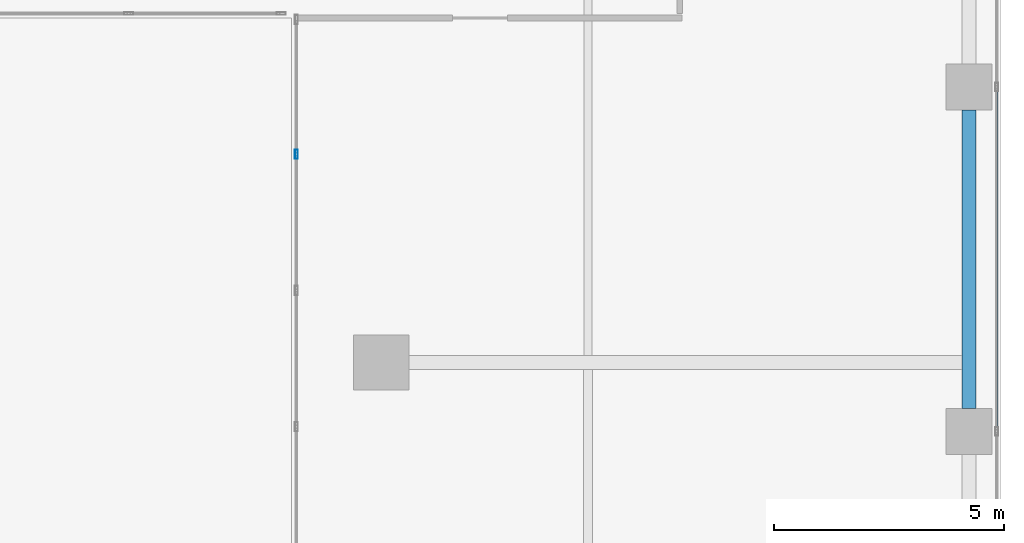
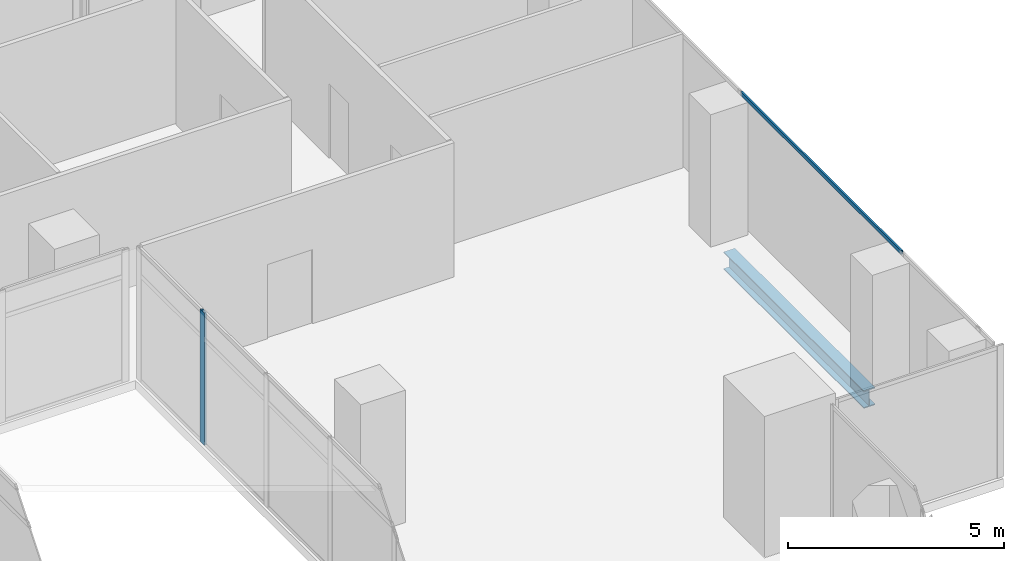
# One storey, part 13 of 40: 2 members, 1 beam, 2 elements without a shape of their own.
"""IFC4 building model written with IfcOpenShell, lengths in metres."""

from ifc_helpers import new_model, si_unit, direction, frame, origin, origin_2d, place, context, subcontext, project, spatial, hollow_rectangle, i_section, extrude, source, transform, mapped, material, material_profile, profile_set, type_object, element, aggregate, save


model = new_model("IFC4")

# Units and contexts
model_context = context("Model", 3, precision=1e-05, world=origin(), true_north=direction((0.0, 1.0)))
body_context = subcontext(model_context, "Body", "Model", "MODEL_VIEW")
ifc_project = project(units=[si_unit("LENGTHUNIT", "METRE"), si_unit("AREAUNIT", "SQUARE_METRE"), si_unit("VOLUMEUNIT", "CUBIC_METRE"), si_unit("PLANEANGLEUNIT", "RADIAN"), si_unit("MASSUNIT", "GRAM", prefix="KILO")], contexts=[model_context])

# Site, building, storey
site_placement = place(None, origin())
site = spatial("IfcSite", under=ifc_project, at=site_placement, CompositionType="ELEMENT")
building_placement = place(site_placement, origin())
building = spatial("IfcBuilding", under=site, at=building_placement, Name="Khomas Fold Tower", CompositionType="ELEMENT")
storey_placement = place(building_placement, frame((0.0, 0.0, 184.699951171875)))
storey = spatial("IfcBuildingStorey", under=building, at=storey_placement, Name="L40", CompositionType="ELEMENT", Elevation=184.699951171875)

# Beam
ifc_material_1 = material(Name="Steel S355", Category="steel")
ifc_material_profile_1 = material_profile(ifc_material_1, i_section(OverallWidth=0.300048828125, OverallDepth=0.5, WebThickness=0.014404296875, FlangeThickness=0.028076171875, at=origin_2d()), Name="HE 500 B")
ifc_profile_set_1 = profile_set([ifc_material_profile_1], Name="Steel S355")
beam_type = type_object("IfcBeamType", Name="HE 500 B spandrel SB3", PredefinedType="SPANDREL", material=ifc_profile_set_1)
shared_shape_1 = source(origin(), body_context, "Body", "SweptSolid", [
    extrude(i_section(OverallWidth=0.300048828125, OverallDepth=0.5, WebThickness=0.014404296875, FlangeThickness=0.028076171875, at=origin_2d()), origin(), (0.0, 0.0, 1.0), 6.5),
])
beam_placement = place(storey_placement, frame((50.300048828125, 12.5, -0.5), z_axis=(0.0, 1.0, 0.0), x_axis=(-1.0, 0.0, 0.0)))
element("IfcBeam", 1, at=beam_placement, inside=storey, type_object=beam_type, Name="SB3", PredefinedType="SPANDREL", context=body_context, shape_type="MappedRepresentation", body=[
    mapped(shared_shape_1, transform((0.0, 0.0, 0.0))),
])

# Curtain wall, member
ifc_material_2 = material(Name="Aluminium framed double glazing", Category="aluminium")
curtain_wall_type_1 = type_object("IfcCurtainWallType", Name="SK-Unitised clear-glass wall, office floors CW2", PredefinedType="NOTDEFINED", material=ifc_material_2)
curtain_wall_1_placement = place(storey_placement, origin())
curtain_wall_1 = element("IfcCurtainWall", 2, at=curtain_wall_1_placement, inside=storey, type_object=curtain_wall_type_1, Name="CW2 run L40 08-0", PredefinedType="NOTDEFINED")
ifc_material_3 = material(Name="Aluminium", Category="aluminium")
ifc_material_profile_2 = material_profile(ifc_material_3, hollow_rectangle(XDim=0.050048828125, YDim=0.110107421875, WallThickness=0.00390625, at=origin_2d()), Name="SK-Unitised clear-glass wall, office floors transom CW2-T")
ifc_profile_set_2 = profile_set([ifc_material_profile_2], Name="Aluminium")
member_type_1 = type_object("IfcMemberType", Name="SK-Unitised clear-glass wall, office floors transom CW2-T", PredefinedType="USERDEFINED", material=ifc_profile_set_2)
shared_shape_2 = source(origin(), body_context, "Body", "SweptSolid", [
    extrude(hollow_rectangle(XDim=0.050048828125, YDim=0.110107421875, WallThickness=0.00390625, at=origin_2d()), origin(), (0.0, 0.0, 1.0), 7.43994140625),
])
member_1_placement = place(storey_placement, frame((50.89990234375, 12.030029296875, 3.695068359375), z_axis=(0.0, 1.0, 0.0), x_axis=(-1.0, 0.0, 0.0)))
member_1 = element("IfcMember", 3, at=member_1_placement, type_object=member_type_1, Name="CW2 transom 3", ObjectType="TRANSOM", PredefinedType="USERDEFINED", context=body_context, shape_type="MappedRepresentation", body=[
    mapped(shared_shape_2, transform((0.0, 0.0, 0.0))),
])
aggregate(curtain_wall_1, [member_1])

ifc_material_4 = material(Name="Aluminium framed double glazing", Category="aluminium")
curtain_wall_type_2 = type_object("IfcCurtainWallType", Name="Notch glazing GN-CW", PredefinedType="NOTDEFINED", material=ifc_material_4)
curtain_wall_2_placement = place(storey_placement, origin())
curtain_wall_2 = element("IfcCurtainWall", 4, at=curtain_wall_2_placement, inside=storey, type_object=curtain_wall_type_2, Name="Notch glazing run", PredefinedType="NOTDEFINED")
ifc_material_5 = material(Name="Aluminium", Category="aluminium")
ifc_material_profile_3 = material_profile(ifc_material_5, hollow_rectangle(XDim=0.06005859375, YDim=0.199951171875, WallThickness=0.00390625, at=origin_2d()), Name="Notch glazing mullion GN-CW-M")
ifc_profile_set_3 = profile_set([ifc_material_profile_3], Name="Aluminium")
member_type_2 = type_object("IfcMemberType", Name="Notch glazing mullion GN-CW-M", PredefinedType="MULLION", material=ifc_profile_set_3)
shared_shape_3 = source(origin(), body_context, "Body", "SweptSolid", [
    extrude(hollow_rectangle(XDim=0.06005859375, YDim=0.199951171875, WallThickness=0.00390625, at=origin_2d()), origin(), (0.0, 0.0, 1.0), 3.75),
])
member_2_placement = place(storey_placement, frame((35.64990234375, 18.033447265625, 0.0), z_axis=(0.0, 0.0, 1.0), x_axis=(1.0, 0.0, 0.0)))
member_2 = element("IfcMember", 5, at=member_2_placement, type_object=member_type_2, Name="GN-CW mullion 2", PredefinedType="MULLION", context=body_context, shape_type="MappedRepresentation", body=[
    mapped(shared_shape_3, transform((0.0, 0.0, 0.0))),
])
aggregate(curtain_wall_2, [member_2])

save(model, "model.ifc")
